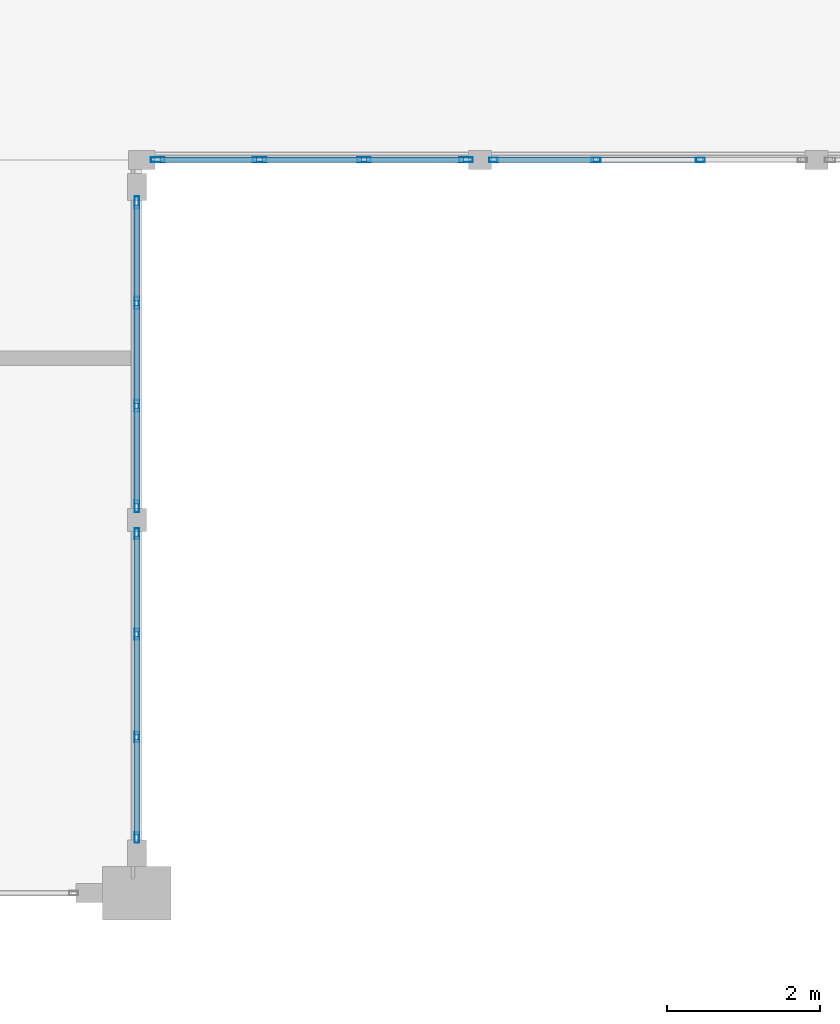
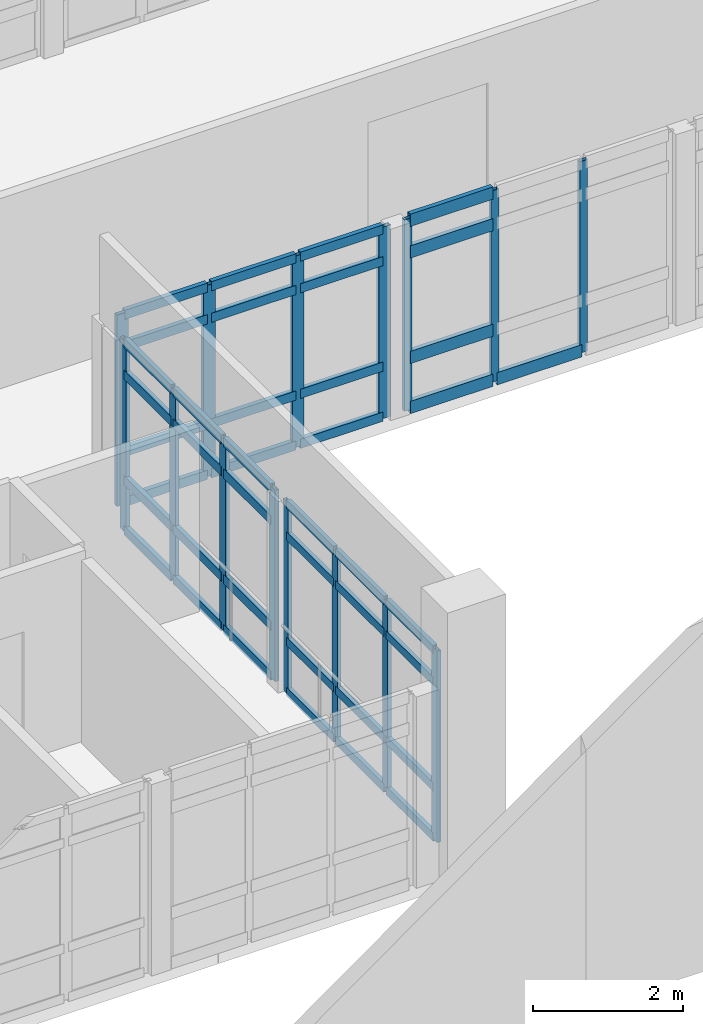
# One storey, part 6 of 37: 56 members, 4 elements without a shape of their own.
"""IFC4 building model written with IfcOpenShell, lengths in metres."""

from ifc_helpers import new_model, si_unit, direction, frame, origin, origin_2d, place, context, subcontext, project, spatial, hollow_rectangle, extrude, material, layer, layer_set, material_profile, profile_set, type_object, element, aggregate, save


model = new_model("IFC4")

# Units and contexts
model_context = context("Model", 3, precision=1e-05, world=origin(), true_north=direction((0.0, 1.0)))
body_context = subcontext(model_context, "Body", "Model", "MODEL_VIEW")
ifc_project = project(units=[si_unit("LENGTHUNIT", "METRE"), si_unit("AREAUNIT", "SQUARE_METRE"), si_unit("VOLUMEUNIT", "CUBIC_METRE"), si_unit("PLANEANGLEUNIT", "RADIAN"), si_unit("MASSUNIT", "GRAM", prefix="KILO")], contexts=[model_context])

# Site, building, storey
site_placement = place(None, origin())
site = spatial("IfcSite", under=ifc_project, at=site_placement, CompositionType="ELEMENT")
building_placement = place(site_placement, origin())
building = spatial("IfcBuilding", under=site, at=building_placement, Name="Fikremerkos Civic Library", CompositionType="ELEMENT")
storey_placement = place(building_placement, frame((0.0, 0.0, 23.39990234375)))
storey = spatial("IfcBuildingStorey", under=building, at=storey_placement, Name="L05", CompositionType="ELEMENT", Elevation=23.39990234375)

# Curtain wall, members
ifc_material = material(Name="Anodized aluminium Frame", Category="aluminium")
ifc_layer_1 = layer(ifc_material, 0.159912109375, Name="Anodized aluminium Frame")
ifc_layer_set_1 = layer_set([ifc_layer_1], Name="Anodized aluminium Frame")
curtain_wall_type_1 = type_object("IfcCurtainWallType", Name="Unitised curtain wall CW-09 3600x3400", PredefinedType="USERDEFINED", material=ifc_layer_set_1)
curtain_wall_1_placement = place(storey_placement, origin())
curtain_wall_1 = element("IfcCurtainWall", 1, at=curtain_wall_1_placement, inside=storey, type_object=curtain_wall_type_1, Name="Unitised curtain wall CW-09 L05 #297", ObjectType="UNITISED CURTAIN WALL", PredefinedType="USERDEFINED")
ifc_material_profile_1 = material_profile(ifc_material, hollow_rectangle(XDim=0.06494140625, YDim=0.179931640625, WallThickness=0.00439453125, at=origin_2d()), Name="ALU 180x65x4.5")
ifc_profile_set_1 = profile_set([ifc_material_profile_1], Name="Anodized aluminium Frame")
member_type_1 = type_object("IfcMemberType", Name="Curtain mullion CWM-01 ALU 180x65x4.5", PredefinedType="MULLION", material=ifc_profile_set_1)
member_1_placement = place(storey_placement, frame((37.01025390625, 21.60009765625, 0.0), z_axis=(0.0, 0.0, 1.0), x_axis=(0.0, -1.0, 0.0)))
member_1 = element("IfcMember", 2, at=member_1_placement, type_object=member_type_1, Name="CW-09 mullion 1", PredefinedType="MULLION", context=body_context, shape_type="SweptSolid", body=[
    extrude(hollow_rectangle(XDim=0.06494140625, YDim=0.179931640625, WallThickness=0.00439453125, at=origin_2d()), origin(), (0.0, 0.0, 1.0), 3.1201171875),
])
member_2_placement = place(storey_placement, frame((35.675048828125, 21.60009765625, 0.0), z_axis=(0.0, 0.0, 1.0), x_axis=(0.0, -1.0, 0.0)))
member_2 = element("IfcMember", 3, at=member_2_placement, type_object=member_type_1, Name="CW-09 mullion 2", PredefinedType="MULLION", context=body_context, shape_type="SweptSolid", body=[
    extrude(hollow_rectangle(XDim=0.06494140625, YDim=0.179931640625, WallThickness=0.00439453125, at=origin_2d()), origin(), (0.0, 0.0, 1.0), 3.1201171875),
])
member_3_placement = place(storey_placement, frame((34.3076171875, 21.60009765625, 0.0), z_axis=(0.0, 0.0, 1.0), x_axis=(0.0, -1.0, 0.0)))
member_3 = element("IfcMember", 4, at=member_3_placement, type_object=member_type_1, Name="CW-09 mullion 3", PredefinedType="MULLION", context=body_context, shape_type="SweptSolid", body=[
    extrude(hollow_rectangle(XDim=0.06494140625, YDim=0.179931640625, WallThickness=0.00439453125, at=origin_2d()), origin(), (0.0, 0.0, 1.0), 3.1201171875),
])
member_4_placement = place(storey_placement, frame((32.972412109375, 21.60009765625, 0.0), z_axis=(0.0, 0.0, 1.0), x_axis=(0.0, -1.0, 0.0)))
member_4 = element("IfcMember", 5, at=member_4_placement, type_object=member_type_1, Name="CW-09 mullion 4", PredefinedType="MULLION", context=body_context, shape_type="SweptSolid", body=[
    extrude(hollow_rectangle(XDim=0.06494140625, YDim=0.179931640625, WallThickness=0.00439453125, at=origin_2d()), origin(), (0.0, 0.0, 1.0), 3.1201171875),
])

ifc_layer_2 = layer(ifc_material, 0.159912109375, Name="Anodized aluminium Frame")
ifc_layer_set_2 = layer_set([ifc_layer_2], Name="Anodized aluminium Frame")
curtain_wall_type_2 = type_object("IfcCurtainWallType", Name="Unitised curtain wall CW-10 4000x3400", PredefinedType="USERDEFINED", material=ifc_layer_set_2)
curtain_wall_2_placement = place(storey_placement, origin())
curtain_wall_2 = element("IfcCurtainWall", 6, at=curtain_wall_2_placement, inside=storey, type_object=curtain_wall_type_2, Name="Unitised curtain wall CW-10 L05 #298", ObjectType="UNITISED CURTAIN WALL", PredefinedType="USERDEFINED")
ifc_material_profile_2 = material_profile(ifc_material, hollow_rectangle(XDim=0.06005859375, YDim=0.159912109375, WallThickness=0.00390625, at=origin_2d()), Name="ALU 160x60x4")
ifc_profile_set_2 = profile_set([ifc_material_profile_2], Name="Anodized aluminium Frame")
member_type_2 = type_object("IfcMemberType", Name="Curtain mullion CWM-02 ALU 160x60x4", PredefinedType="MULLION", material=ifc_profile_set_2)
member_5_placement = place(storey_placement, frame((32.699951171875, 21.0400390625, 0.0), z_axis=(0.0, 0.0, 1.0), x_axis=(1.0, 0.0, 0.0)))
member_5 = element("IfcMember", 7, at=member_5_placement, type_object=member_type_2, Name="CW-10 mullion 1", PredefinedType="MULLION", context=body_context, shape_type="SweptSolid", body=[
    extrude(hollow_rectangle(XDim=0.06005859375, YDim=0.159912109375, WallThickness=0.00390625, at=origin_2d()), origin(), (0.0, 0.0, 1.0), 3.1201171875),
])
member_6_placement = place(storey_placement, frame((32.699951171875, 19.724609375, 0.0), z_axis=(0.0, 0.0, 1.0), x_axis=(1.0, 0.0, 0.0)))
member_6 = element("IfcMember", 8, at=member_6_placement, type_object=member_type_2, Name="CW-10 mullion 2", PredefinedType="MULLION", context=body_context, shape_type="SweptSolid", body=[
    extrude(hollow_rectangle(XDim=0.06005859375, YDim=0.159912109375, WallThickness=0.00390625, at=origin_2d()), origin(), (0.0, 0.0, 1.0), 3.1201171875),
])
member_7_placement = place(storey_placement, frame((32.699951171875, 18.37939453125, 0.0), z_axis=(0.0, 0.0, 1.0), x_axis=(1.0, 0.0, 0.0)))
member_7 = element("IfcMember", 9, at=member_7_placement, type_object=member_type_2, Name="CW-10 mullion 3", PredefinedType="MULLION", context=body_context, shape_type="SweptSolid", body=[
    extrude(hollow_rectangle(XDim=0.06005859375, YDim=0.159912109375, WallThickness=0.00390625, at=origin_2d()), origin(), (0.0, 0.0, 1.0), 3.1201171875),
])
member_8_placement = place(storey_placement, frame((32.699951171875, 17.06396484375, 0.0), z_axis=(0.0, 0.0, 1.0), x_axis=(1.0, 0.0, 0.0)))
member_8 = element("IfcMember", 10, at=member_8_placement, type_object=member_type_2, Name="CW-10 mullion 4", PredefinedType="MULLION", context=body_context, shape_type="SweptSolid", body=[
    extrude(hollow_rectangle(XDim=0.06005859375, YDim=0.159912109375, WallThickness=0.00390625, at=origin_2d()), origin(), (0.0, 0.0, 1.0), 3.1201171875),
])

ifc_layer_3 = layer(ifc_material, 0.159912109375, Name="Anodized aluminium Frame")
ifc_layer_set_3 = layer_set([ifc_layer_3], Name="Anodized aluminium Frame")
curtain_wall_type_3 = type_object("IfcCurtainWallType", Name="Unitised curtain wall CW-11 3200x3400", PredefinedType="USERDEFINED", material=ifc_layer_set_3)
curtain_wall_3_placement = place(storey_placement, origin())
curtain_wall_3 = element("IfcCurtainWall", 11, at=curtain_wall_3_placement, inside=storey, type_object=curtain_wall_type_3, Name="Unitised curtain wall CW-11 L05 #299", ObjectType="UNITISED CURTAIN WALL", PredefinedType="USERDEFINED")
ifc_material_profile_3 = material_profile(ifc_material, hollow_rectangle(XDim=0.06005859375, YDim=0.139892578125, WallThickness=0.00390625, at=origin_2d()), Name="ALU 140x60x4")
ifc_profile_set_3 = profile_set([ifc_material_profile_3], Name="Anodized aluminium Frame")
member_type_3 = type_object("IfcMemberType", Name="Curtain mullion CWM-03 ALU 140x60x4", PredefinedType="MULLION", material=ifc_profile_set_3)
member_9_placement = place(storey_placement, frame((32.699951171875, 16.7041015625, 0.0), z_axis=(0.0, 0.0, 1.0), x_axis=(1.0, 0.0, 0.0)))
member_9 = element("IfcMember", 12, at=member_9_placement, type_object=member_type_3, Name="CW-11 mullion 1", PredefinedType="MULLION", context=body_context, shape_type="SweptSolid", body=[
    extrude(hollow_rectangle(XDim=0.06005859375, YDim=0.139892578125, WallThickness=0.00390625, at=origin_2d()), origin(), (0.0, 0.0, 1.0), 3.1201171875),
])
member_10_placement = place(storey_placement, frame((32.699951171875, 15.388671875, 0.0), z_axis=(0.0, 0.0, 1.0), x_axis=(1.0, 0.0, 0.0)))
member_10 = element("IfcMember", 13, at=member_10_placement, type_object=member_type_3, Name="CW-11 mullion 2", PredefinedType="MULLION", context=body_context, shape_type="SweptSolid", body=[
    extrude(hollow_rectangle(XDim=0.06005859375, YDim=0.139892578125, WallThickness=0.00390625, at=origin_2d()), origin(), (0.0, 0.0, 1.0), 3.1201171875),
])
member_11_placement = place(storey_placement, frame((32.699951171875, 14.043212890625, 0.0), z_axis=(0.0, 0.0, 1.0), x_axis=(1.0, 0.0, 0.0)))
member_11 = element("IfcMember", 14, at=member_11_placement, type_object=member_type_3, Name="CW-11 mullion 3", PredefinedType="MULLION", context=body_context, shape_type="SweptSolid", body=[
    extrude(hollow_rectangle(XDim=0.06005859375, YDim=0.139892578125, WallThickness=0.00390625, at=origin_2d()), origin(), (0.0, 0.0, 1.0), 3.1201171875),
])
member_12_placement = place(storey_placement, frame((32.699951171875, 12.72802734375, 0.0), z_axis=(0.0, 0.0, 1.0), x_axis=(1.0, 0.0, 0.0)))
member_12 = element("IfcMember", 15, at=member_12_placement, type_object=member_type_3, Name="CW-11 mullion 4", PredefinedType="MULLION", context=body_context, shape_type="SweptSolid", body=[
    extrude(hollow_rectangle(XDim=0.06005859375, YDim=0.139892578125, WallThickness=0.00390625, at=origin_2d()), origin(), (0.0, 0.0, 1.0), 3.1201171875),
])

ifc_layer_4 = layer(ifc_material, 0.159912109375, Name="Anodized aluminium Frame")
ifc_layer_set_4 = layer_set([ifc_layer_4], Name="Anodized aluminium Frame")
curtain_wall_type_4 = type_object("IfcCurtainWallType", Name="Unitised curtain wall CW-08 4500x4100", PredefinedType="USERDEFINED", material=ifc_layer_set_4)
curtain_wall_4_placement = place(storey_placement, origin())
curtain_wall_4 = element("IfcCurtainWall", 16, at=curtain_wall_4_placement, inside=storey, type_object=curtain_wall_type_4, Name="Unitised curtain wall CW-08 L05 #296", ObjectType="UNITISED CURTAIN WALL", PredefinedType="USERDEFINED")
ifc_material_profile_4 = material_profile(ifc_material, hollow_rectangle(XDim=0.06005859375, YDim=0.1201171875, WallThickness=0.00390625, at=origin_2d()), Name="ALU 120x60x4")
ifc_profile_set_4 = profile_set([ifc_material_profile_4], Name="Anodized aluminium Frame")
member_type_4 = type_object("IfcMemberType", Name="Curtain mullion CWM-04 ALU 120x60x4", PredefinedType="MULLION", material=ifc_profile_set_4)
member_13_placement = place(storey_placement, frame((40.077880859375, 21.60009765625, 0.0), z_axis=(0.0, 0.0, 1.0), x_axis=(0.0, -1.0, 0.0)))
member_13 = element("IfcMember", 17, at=member_13_placement, type_object=member_type_4, Name="CW-08 mullion 2", PredefinedType="MULLION", context=body_context, shape_type="SweptSolid", body=[
    extrude(hollow_rectangle(XDim=0.06005859375, YDim=0.1201171875, WallThickness=0.00390625, at=origin_2d()), origin(), (0.0, 0.0, 1.0), 3.1201171875),
])
member_14_placement = place(storey_placement, frame((38.710205078125, 21.60009765625, 0.0), z_axis=(0.0, 0.0, 1.0), x_axis=(0.0, -1.0, 0.0)))
member_14 = element("IfcMember", 18, at=member_14_placement, type_object=member_type_4, Name="CW-08 mullion 3", PredefinedType="MULLION", context=body_context, shape_type="SweptSolid", body=[
    extrude(hollow_rectangle(XDim=0.06005859375, YDim=0.1201171875, WallThickness=0.00390625, at=origin_2d()), origin(), (0.0, 0.0, 1.0), 3.1201171875),
])
member_15_placement = place(storey_placement, frame((37.37255859375, 21.60009765625, 0.0), z_axis=(0.0, 0.0, 1.0), x_axis=(0.0, -1.0, 0.0)))
member_15 = element("IfcMember", 19, at=member_15_placement, type_object=member_type_4, Name="CW-08 mullion 4", PredefinedType="MULLION", context=body_context, shape_type="SweptSolid", body=[
    extrude(hollow_rectangle(XDim=0.06005859375, YDim=0.1201171875, WallThickness=0.00390625, at=origin_2d()), origin(), (0.0, 0.0, 1.0), 3.1201171875),
])

# Member
ifc_material_profile_5 = material_profile(ifc_material, hollow_rectangle(XDim=0.070068359375, YDim=0.14990234375, WallThickness=0.00439453125, at=origin_2d()), Name="ALU 150x70x4.5")
ifc_profile_set_5 = profile_set([ifc_material_profile_5], Name="Anodized aluminium Frame")
member_type_5 = type_object("IfcMemberType", Name="Curtain transom CWT-01 ALU 150x70x4.5", PredefinedType="USERDEFINED", material=ifc_profile_set_5)
member_16_placement = place(storey_placement, frame((36.977783203125, 21.60009765625, 0.03515625), z_axis=(-1.0, 0.0, 0.0), x_axis=(0.0, -1.0, 0.0)))
member_16 = element("IfcMember", 20, at=member_16_placement, type_object=member_type_5, Name="CW-09 transom 1.1", ObjectType="TRANSOM", PredefinedType="USERDEFINED", context=body_context, shape_type="SweptSolid", body=[
    extrude(hollow_rectangle(XDim=0.070068359375, YDim=0.14990234375, WallThickness=0.00439453125, at=origin_2d()), origin(), (0.0, 0.0, 1.0), 1.270263671875),
])

member_17_placement = place(storey_placement, frame((36.977783203125, 21.60009765625, 0.85009765625), z_axis=(-1.0, 0.0, 0.0), x_axis=(0.0, -1.0, 0.0)))
member_17 = element("IfcMember", 21, at=member_17_placement, type_object=member_type_5, Name="CW-09 transom 1.2", ObjectType="TRANSOM", PredefinedType="USERDEFINED", context=body_context, shape_type="SweptSolid", body=[
    extrude(hollow_rectangle(XDim=0.070068359375, YDim=0.14990234375, WallThickness=0.00439453125, at=origin_2d()), origin(), (0.0, 0.0, 1.0), 1.270263671875),
])

member_18_placement = place(storey_placement, frame((36.977783203125, 21.60009765625, 2.570068359375), z_axis=(-1.0, 0.0, 0.0), x_axis=(0.0, -1.0, 0.0)))
member_18 = element("IfcMember", 22, at=member_18_placement, type_object=member_type_5, Name="CW-09 transom 1.3", ObjectType="TRANSOM", PredefinedType="USERDEFINED", context=body_context, shape_type="SweptSolid", body=[
    extrude(hollow_rectangle(XDim=0.070068359375, YDim=0.14990234375, WallThickness=0.00439453125, at=origin_2d()), origin(), (0.0, 0.0, 1.0), 1.270263671875),
])

member_19_placement = place(storey_placement, frame((36.977783203125, 21.60009765625, 3.085205078125), z_axis=(-1.0, 0.0, 0.0), x_axis=(0.0, -1.0, 0.0)))
member_19 = element("IfcMember", 23, at=member_19_placement, type_object=member_type_5, Name="CW-09 transom 1.4", ObjectType="TRANSOM", PredefinedType="USERDEFINED", context=body_context, shape_type="SweptSolid", body=[
    extrude(hollow_rectangle(XDim=0.070068359375, YDim=0.14990234375, WallThickness=0.00439453125, at=origin_2d()), origin(), (0.0, 0.0, 1.0), 1.270263671875),
])

member_20_placement = place(storey_placement, frame((35.642578125, 21.60009765625, 0.03515625), z_axis=(-1.0, 0.0, 0.0), x_axis=(0.0, -1.0, 0.0)))
member_20 = element("IfcMember", 24, at=member_20_placement, type_object=member_type_5, Name="CW-09 transom 2.1", ObjectType="TRANSOM", PredefinedType="USERDEFINED", context=body_context, shape_type="SweptSolid", body=[
    extrude(hollow_rectangle(XDim=0.070068359375, YDim=0.14990234375, WallThickness=0.00439453125, at=origin_2d()), origin(), (0.0, 0.0, 1.0), 1.302490234375),
])

member_21_placement = place(storey_placement, frame((35.642578125, 21.60009765625, 0.85009765625), z_axis=(-1.0, 0.0, 0.0), x_axis=(0.0, -1.0, 0.0)))
member_21 = element("IfcMember", 25, at=member_21_placement, type_object=member_type_5, Name="CW-09 transom 2.2", ObjectType="TRANSOM", PredefinedType="USERDEFINED", context=body_context, shape_type="SweptSolid", body=[
    extrude(hollow_rectangle(XDim=0.070068359375, YDim=0.14990234375, WallThickness=0.00439453125, at=origin_2d()), origin(), (0.0, 0.0, 1.0), 1.302490234375),
])

member_22_placement = place(storey_placement, frame((35.642578125, 21.60009765625, 2.570068359375), z_axis=(-1.0, 0.0, 0.0), x_axis=(0.0, -1.0, 0.0)))
member_22 = element("IfcMember", 26, at=member_22_placement, type_object=member_type_5, Name="CW-09 transom 2.3", ObjectType="TRANSOM", PredefinedType="USERDEFINED", context=body_context, shape_type="SweptSolid", body=[
    extrude(hollow_rectangle(XDim=0.070068359375, YDim=0.14990234375, WallThickness=0.00439453125, at=origin_2d()), origin(), (0.0, 0.0, 1.0), 1.302490234375),
])

member_23_placement = place(storey_placement, frame((35.642578125, 21.60009765625, 3.085205078125), z_axis=(-1.0, 0.0, 0.0), x_axis=(0.0, -1.0, 0.0)))
member_23 = element("IfcMember", 27, at=member_23_placement, type_object=member_type_5, Name="CW-09 transom 2.4", ObjectType="TRANSOM", PredefinedType="USERDEFINED", context=body_context, shape_type="SweptSolid", body=[
    extrude(hollow_rectangle(XDim=0.070068359375, YDim=0.14990234375, WallThickness=0.00439453125, at=origin_2d()), origin(), (0.0, 0.0, 1.0), 1.302490234375),
])

member_24_placement = place(storey_placement, frame((34.275146484375, 21.60009765625, 0.03515625), z_axis=(-1.0, 0.0, 0.0), x_axis=(0.0, -1.0, 0.0)))
member_24 = element("IfcMember", 28, at=member_24_placement, type_object=member_type_5, Name="CW-09 transom 3.1", ObjectType="TRANSOM", PredefinedType="USERDEFINED", context=body_context, shape_type="SweptSolid", body=[
    extrude(hollow_rectangle(XDim=0.070068359375, YDim=0.14990234375, WallThickness=0.00439453125, at=origin_2d()), origin(), (0.0, 0.0, 1.0), 1.270263671875),
])

member_25_placement = place(storey_placement, frame((34.275146484375, 21.60009765625, 0.85009765625), z_axis=(-1.0, 0.0, 0.0), x_axis=(0.0, -1.0, 0.0)))
member_25 = element("IfcMember", 29, at=member_25_placement, type_object=member_type_5, Name="CW-09 transom 3.2", ObjectType="TRANSOM", PredefinedType="USERDEFINED", context=body_context, shape_type="SweptSolid", body=[
    extrude(hollow_rectangle(XDim=0.070068359375, YDim=0.14990234375, WallThickness=0.00439453125, at=origin_2d()), origin(), (0.0, 0.0, 1.0), 1.270263671875),
])

member_26_placement = place(storey_placement, frame((34.275146484375, 21.60009765625, 2.570068359375), z_axis=(-1.0, 0.0, 0.0), x_axis=(0.0, -1.0, 0.0)))
member_26 = element("IfcMember", 30, at=member_26_placement, type_object=member_type_5, Name="CW-09 transom 3.3", ObjectType="TRANSOM", PredefinedType="USERDEFINED", context=body_context, shape_type="SweptSolid", body=[
    extrude(hollow_rectangle(XDim=0.070068359375, YDim=0.14990234375, WallThickness=0.00439453125, at=origin_2d()), origin(), (0.0, 0.0, 1.0), 1.270263671875),
])

member_27_placement = place(storey_placement, frame((34.275146484375, 21.60009765625, 3.085205078125), z_axis=(-1.0, 0.0, 0.0), x_axis=(0.0, -1.0, 0.0)))
member_27 = element("IfcMember", 31, at=member_27_placement, type_object=member_type_5, Name="CW-09 transom 3.4", ObjectType="TRANSOM", PredefinedType="USERDEFINED", context=body_context, shape_type="SweptSolid", body=[
    extrude(hollow_rectangle(XDim=0.070068359375, YDim=0.14990234375, WallThickness=0.00439453125, at=origin_2d()), origin(), (0.0, 0.0, 1.0), 1.270263671875),
])

aggregate(curtain_wall_1, [member_1, member_2, member_3, member_4, member_16, member_17, member_18, member_19, member_20, member_21, member_22, member_23, member_24, member_25, member_26, member_27])

member_28_placement = place(storey_placement, frame((32.699951171875, 21.010009765625, 0.03515625), z_axis=(0.0, -1.0, 0.0), x_axis=(1.0, 0.0, 0.0)))
member_28 = element("IfcMember", 32, at=member_28_placement, type_object=member_type_5, Name="CW-10 transom 1.1", ObjectType="TRANSOM", PredefinedType="USERDEFINED", context=body_context, shape_type="SweptSolid", body=[
    extrude(hollow_rectangle(XDim=0.070068359375, YDim=0.14990234375, WallThickness=0.00439453125, at=origin_2d()), origin(), (0.0, 0.0, 1.0), 1.25537109375),
])

member_29_placement = place(storey_placement, frame((32.699951171875, 21.010009765625, 0.85009765625), z_axis=(0.0, -1.0, 0.0), x_axis=(1.0, 0.0, 0.0)))
member_29 = element("IfcMember", 33, at=member_29_placement, type_object=member_type_5, Name="CW-10 transom 1.2", ObjectType="TRANSOM", PredefinedType="USERDEFINED", context=body_context, shape_type="SweptSolid", body=[
    extrude(hollow_rectangle(XDim=0.070068359375, YDim=0.14990234375, WallThickness=0.00439453125, at=origin_2d()), origin(), (0.0, 0.0, 1.0), 1.25537109375),
])

member_30_placement = place(storey_placement, frame((32.699951171875, 21.010009765625, 2.570068359375), z_axis=(0.0, -1.0, 0.0), x_axis=(1.0, 0.0, 0.0)))
member_30 = element("IfcMember", 34, at=member_30_placement, type_object=member_type_5, Name="CW-10 transom 1.3", ObjectType="TRANSOM", PredefinedType="USERDEFINED", context=body_context, shape_type="SweptSolid", body=[
    extrude(hollow_rectangle(XDim=0.070068359375, YDim=0.14990234375, WallThickness=0.00439453125, at=origin_2d()), origin(), (0.0, 0.0, 1.0), 1.25537109375),
])

member_31_placement = place(storey_placement, frame((32.699951171875, 21.010009765625, 3.085205078125), z_axis=(0.0, -1.0, 0.0), x_axis=(1.0, 0.0, 0.0)))
member_31 = element("IfcMember", 35, at=member_31_placement, type_object=member_type_5, Name="CW-10 transom 1.4", ObjectType="TRANSOM", PredefinedType="USERDEFINED", context=body_context, shape_type="SweptSolid", body=[
    extrude(hollow_rectangle(XDim=0.070068359375, YDim=0.14990234375, WallThickness=0.00439453125, at=origin_2d()), origin(), (0.0, 0.0, 1.0), 1.25537109375),
])

member_32_placement = place(storey_placement, frame((32.699951171875, 19.694580078125, 0.03515625), z_axis=(0.0, -1.0, 0.0), x_axis=(1.0, 0.0, 0.0)))
member_32 = element("IfcMember", 36, at=member_32_placement, type_object=member_type_5, Name="CW-10 transom 2.1", ObjectType="TRANSOM", PredefinedType="USERDEFINED", context=body_context, shape_type="SweptSolid", body=[
    extrude(hollow_rectangle(XDim=0.070068359375, YDim=0.14990234375, WallThickness=0.00439453125, at=origin_2d()), origin(), (0.0, 0.0, 1.0), 1.28515625),
])

member_33_placement = place(storey_placement, frame((32.699951171875, 19.694580078125, 0.85009765625), z_axis=(0.0, -1.0, 0.0), x_axis=(1.0, 0.0, 0.0)))
member_33 = element("IfcMember", 37, at=member_33_placement, type_object=member_type_5, Name="CW-10 transom 2.2", ObjectType="TRANSOM", PredefinedType="USERDEFINED", context=body_context, shape_type="SweptSolid", body=[
    extrude(hollow_rectangle(XDim=0.070068359375, YDim=0.14990234375, WallThickness=0.00439453125, at=origin_2d()), origin(), (0.0, 0.0, 1.0), 1.28515625),
])

member_34_placement = place(storey_placement, frame((32.699951171875, 19.694580078125, 2.570068359375), z_axis=(0.0, -1.0, 0.0), x_axis=(1.0, 0.0, 0.0)))
member_34 = element("IfcMember", 38, at=member_34_placement, type_object=member_type_5, Name="CW-10 transom 2.3", ObjectType="TRANSOM", PredefinedType="USERDEFINED", context=body_context, shape_type="SweptSolid", body=[
    extrude(hollow_rectangle(XDim=0.070068359375, YDim=0.14990234375, WallThickness=0.00439453125, at=origin_2d()), origin(), (0.0, 0.0, 1.0), 1.28515625),
])

member_35_placement = place(storey_placement, frame((32.699951171875, 19.694580078125, 3.085205078125), z_axis=(0.0, -1.0, 0.0), x_axis=(1.0, 0.0, 0.0)))
member_35 = element("IfcMember", 39, at=member_35_placement, type_object=member_type_5, Name="CW-10 transom 2.4", ObjectType="TRANSOM", PredefinedType="USERDEFINED", context=body_context, shape_type="SweptSolid", body=[
    extrude(hollow_rectangle(XDim=0.070068359375, YDim=0.14990234375, WallThickness=0.00439453125, at=origin_2d()), origin(), (0.0, 0.0, 1.0), 1.28515625),
])

member_36_placement = place(storey_placement, frame((32.699951171875, 18.349365234375, 0.03515625), z_axis=(0.0, -1.0, 0.0), x_axis=(1.0, 0.0, 0.0)))
member_36 = element("IfcMember", 40, at=member_36_placement, type_object=member_type_5, Name="CW-10 transom 3.1", ObjectType="TRANSOM", PredefinedType="USERDEFINED", context=body_context, shape_type="SweptSolid", body=[
    extrude(hollow_rectangle(XDim=0.070068359375, YDim=0.14990234375, WallThickness=0.00439453125, at=origin_2d()), origin(), (0.0, 0.0, 1.0), 1.25537109375),
])

member_37_placement = place(storey_placement, frame((32.699951171875, 18.349365234375, 0.85009765625), z_axis=(0.0, -1.0, 0.0), x_axis=(1.0, 0.0, 0.0)))
member_37 = element("IfcMember", 41, at=member_37_placement, type_object=member_type_5, Name="CW-10 transom 3.2", ObjectType="TRANSOM", PredefinedType="USERDEFINED", context=body_context, shape_type="SweptSolid", body=[
    extrude(hollow_rectangle(XDim=0.070068359375, YDim=0.14990234375, WallThickness=0.00439453125, at=origin_2d()), origin(), (0.0, 0.0, 1.0), 1.25537109375),
])

member_38_placement = place(storey_placement, frame((32.699951171875, 18.349365234375, 2.570068359375), z_axis=(0.0, -1.0, 0.0), x_axis=(1.0, 0.0, 0.0)))
member_38 = element("IfcMember", 42, at=member_38_placement, type_object=member_type_5, Name="CW-10 transom 3.3", ObjectType="TRANSOM", PredefinedType="USERDEFINED", context=body_context, shape_type="SweptSolid", body=[
    extrude(hollow_rectangle(XDim=0.070068359375, YDim=0.14990234375, WallThickness=0.00439453125, at=origin_2d()), origin(), (0.0, 0.0, 1.0), 1.25537109375),
])

member_39_placement = place(storey_placement, frame((32.699951171875, 18.349365234375, 3.085205078125), z_axis=(0.0, -1.0, 0.0), x_axis=(1.0, 0.0, 0.0)))
member_39 = element("IfcMember", 43, at=member_39_placement, type_object=member_type_5, Name="CW-10 transom 3.4", ObjectType="TRANSOM", PredefinedType="USERDEFINED", context=body_context, shape_type="SweptSolid", body=[
    extrude(hollow_rectangle(XDim=0.070068359375, YDim=0.14990234375, WallThickness=0.00439453125, at=origin_2d()), origin(), (0.0, 0.0, 1.0), 1.25537109375),
])

aggregate(curtain_wall_2, [member_5, member_6, member_7, member_8, member_28, member_29, member_30, member_31, member_32, member_33, member_34, member_35, member_36, member_37, member_38, member_39])

ifc_material_profile_6 = material_profile(ifc_material, hollow_rectangle(XDim=0.06494140625, YDim=0.135009765625, WallThickness=0.00439453125, at=origin_2d()), Name="ALU 135x65x4.5")
ifc_profile_set_6 = profile_set([ifc_material_profile_6], Name="Anodized aluminium Frame")
member_type_6 = type_object("IfcMemberType", Name="Curtain transom CWT-02 ALU 135x65x4.5", PredefinedType="USERDEFINED", material=ifc_profile_set_6)
member_40_placement = place(storey_placement, frame((32.699951171875, 16.674072265625, 0.03271484375), z_axis=(0.0, -1.0, 0.0), x_axis=(1.0, 0.0, 0.0)))
member_40 = element("IfcMember", 44, at=member_40_placement, type_object=member_type_6, Name="CW-11 transom 1.1", ObjectType="TRANSOM", PredefinedType="USERDEFINED", context=body_context, shape_type="SweptSolid", body=[
    extrude(hollow_rectangle(XDim=0.06494140625, YDim=0.135009765625, WallThickness=0.00439453125, at=origin_2d()), origin(), (0.0, 0.0, 1.0), 1.25537109375),
])

member_41_placement = place(storey_placement, frame((32.699951171875, 16.674072265625, 0.85009765625), z_axis=(0.0, -1.0, 0.0), x_axis=(1.0, 0.0, 0.0)))
member_41 = element("IfcMember", 45, at=member_41_placement, type_object=member_type_6, Name="CW-11 transom 1.2", ObjectType="TRANSOM", PredefinedType="USERDEFINED", context=body_context, shape_type="SweptSolid", body=[
    extrude(hollow_rectangle(XDim=0.06494140625, YDim=0.135009765625, WallThickness=0.00439453125, at=origin_2d()), origin(), (0.0, 0.0, 1.0), 1.25537109375),
])

member_42_placement = place(storey_placement, frame((32.699951171875, 16.674072265625, 2.570068359375), z_axis=(0.0, -1.0, 0.0), x_axis=(1.0, 0.0, 0.0)))
member_42 = element("IfcMember", 46, at=member_42_placement, type_object=member_type_6, Name="CW-11 transom 1.3", ObjectType="TRANSOM", PredefinedType="USERDEFINED", context=body_context, shape_type="SweptSolid", body=[
    extrude(hollow_rectangle(XDim=0.06494140625, YDim=0.135009765625, WallThickness=0.00439453125, at=origin_2d()), origin(), (0.0, 0.0, 1.0), 1.25537109375),
])

member_43_placement = place(storey_placement, frame((32.699951171875, 16.674072265625, 3.087646484375), z_axis=(0.0, -1.0, 0.0), x_axis=(1.0, 0.0, 0.0)))
member_43 = element("IfcMember", 47, at=member_43_placement, type_object=member_type_6, Name="CW-11 transom 1.4", ObjectType="TRANSOM", PredefinedType="USERDEFINED", context=body_context, shape_type="SweptSolid", body=[
    extrude(hollow_rectangle(XDim=0.06494140625, YDim=0.135009765625, WallThickness=0.00439453125, at=origin_2d()), origin(), (0.0, 0.0, 1.0), 1.25537109375),
])

member_44_placement = place(storey_placement, frame((32.699951171875, 15.358642578125, 0.03271484375), z_axis=(0.0, -1.0, 0.0), x_axis=(1.0, 0.0, 0.0)))
member_44 = element("IfcMember", 48, at=member_44_placement, type_object=member_type_6, Name="CW-11 transom 2.1", ObjectType="TRANSOM", PredefinedType="USERDEFINED", context=body_context, shape_type="SweptSolid", body=[
    extrude(hollow_rectangle(XDim=0.06494140625, YDim=0.135009765625, WallThickness=0.00439453125, at=origin_2d()), origin(), (0.0, 0.0, 1.0), 1.285400390625),
])

member_45_placement = place(storey_placement, frame((32.699951171875, 15.358642578125, 0.85009765625), z_axis=(0.0, -1.0, 0.0), x_axis=(1.0, 0.0, 0.0)))
member_45 = element("IfcMember", 49, at=member_45_placement, type_object=member_type_6, Name="CW-11 transom 2.2", ObjectType="TRANSOM", PredefinedType="USERDEFINED", context=body_context, shape_type="SweptSolid", body=[
    extrude(hollow_rectangle(XDim=0.06494140625, YDim=0.135009765625, WallThickness=0.00439453125, at=origin_2d()), origin(), (0.0, 0.0, 1.0), 1.285400390625),
])

member_46_placement = place(storey_placement, frame((32.699951171875, 15.358642578125, 2.570068359375), z_axis=(0.0, -1.0, 0.0), x_axis=(1.0, 0.0, 0.0)))
member_46 = element("IfcMember", 50, at=member_46_placement, type_object=member_type_6, Name="CW-11 transom 2.3", ObjectType="TRANSOM", PredefinedType="USERDEFINED", context=body_context, shape_type="SweptSolid", body=[
    extrude(hollow_rectangle(XDim=0.06494140625, YDim=0.135009765625, WallThickness=0.00439453125, at=origin_2d()), origin(), (0.0, 0.0, 1.0), 1.285400390625),
])

member_47_placement = place(storey_placement, frame((32.699951171875, 15.358642578125, 3.087646484375), z_axis=(0.0, -1.0, 0.0), x_axis=(1.0, 0.0, 0.0)))
member_47 = element("IfcMember", 51, at=member_47_placement, type_object=member_type_6, Name="CW-11 transom 2.4", ObjectType="TRANSOM", PredefinedType="USERDEFINED", context=body_context, shape_type="SweptSolid", body=[
    extrude(hollow_rectangle(XDim=0.06494140625, YDim=0.135009765625, WallThickness=0.00439453125, at=origin_2d()), origin(), (0.0, 0.0, 1.0), 1.285400390625),
])

member_48_placement = place(storey_placement, frame((32.699951171875, 14.013427734375, 0.03271484375), z_axis=(0.0, -1.0, 0.0), x_axis=(1.0, 0.0, 0.0)))
member_48 = element("IfcMember", 52, at=member_48_placement, type_object=member_type_6, Name="CW-11 transom 3.1", ObjectType="TRANSOM", PredefinedType="USERDEFINED", context=body_context, shape_type="SweptSolid", body=[
    extrude(hollow_rectangle(XDim=0.06494140625, YDim=0.135009765625, WallThickness=0.00439453125, at=origin_2d()), origin(), (0.0, 0.0, 1.0), 1.25537109375),
])

member_49_placement = place(storey_placement, frame((32.699951171875, 14.013427734375, 0.85009765625), z_axis=(0.0, -1.0, 0.0), x_axis=(1.0, 0.0, 0.0)))
member_49 = element("IfcMember", 53, at=member_49_placement, type_object=member_type_6, Name="CW-11 transom 3.2", ObjectType="TRANSOM", PredefinedType="USERDEFINED", context=body_context, shape_type="SweptSolid", body=[
    extrude(hollow_rectangle(XDim=0.06494140625, YDim=0.135009765625, WallThickness=0.00439453125, at=origin_2d()), origin(), (0.0, 0.0, 1.0), 1.25537109375),
])

member_50_placement = place(storey_placement, frame((32.699951171875, 14.013427734375, 2.570068359375), z_axis=(0.0, -1.0, 0.0), x_axis=(1.0, 0.0, 0.0)))
member_50 = element("IfcMember", 54, at=member_50_placement, type_object=member_type_6, Name="CW-11 transom 3.3", ObjectType="TRANSOM", PredefinedType="USERDEFINED", context=body_context, shape_type="SweptSolid", body=[
    extrude(hollow_rectangle(XDim=0.06494140625, YDim=0.135009765625, WallThickness=0.00439453125, at=origin_2d()), origin(), (0.0, 0.0, 1.0), 1.25537109375),
])

member_51_placement = place(storey_placement, frame((32.699951171875, 14.013427734375, 3.087646484375), z_axis=(0.0, -1.0, 0.0), x_axis=(1.0, 0.0, 0.0)))
member_51 = element("IfcMember", 55, at=member_51_placement, type_object=member_type_6, Name="CW-11 transom 3.4", ObjectType="TRANSOM", PredefinedType="USERDEFINED", context=body_context, shape_type="SweptSolid", body=[
    extrude(hollow_rectangle(XDim=0.06494140625, YDim=0.135009765625, WallThickness=0.00439453125, at=origin_2d()), origin(), (0.0, 0.0, 1.0), 1.25537109375),
])

aggregate(curtain_wall_3, [member_9, member_10, member_11, member_12, member_40, member_41, member_42, member_43, member_44, member_45, member_46, member_47, member_48, member_49, member_50, member_51])

ifc_material_profile_7 = material_profile(ifc_material, hollow_rectangle(XDim=0.070068359375, YDim=0.199951171875, WallThickness=0.0048828125, at=origin_2d()), Name="ALU 200x70x5")
ifc_profile_set_7 = profile_set([ifc_material_profile_7], Name="Anodized aluminium Frame")
member_type_7 = type_object("IfcMemberType", Name="Curtain transom CWT-04 ALU 200x70x5", PredefinedType="USERDEFINED", material=ifc_profile_set_7)
member_52_placement = place(storey_placement, frame((40.0478515625, 21.60009765625, 0.03515625), z_axis=(-1.0, 0.0, 0.0), x_axis=(0.0, -1.0, 0.0)))
member_52 = element("IfcMember", 56, at=member_52_placement, type_object=member_type_7, Name="CW-08 transom 2.1", ObjectType="TRANSOM", PredefinedType="USERDEFINED", context=body_context, shape_type="SweptSolid", body=[
    extrude(hollow_rectangle(XDim=0.070068359375, YDim=0.199951171875, WallThickness=0.0048828125, at=origin_2d()), origin(), (0.0, 0.0, 1.0), 1.3076171875),
])

member_53_placement = place(storey_placement, frame((38.68017578125, 21.60009765625, 0.03515625), z_axis=(-1.0, 0.0, 0.0), x_axis=(0.0, -1.0, 0.0)))
member_53 = element("IfcMember", 57, at=member_53_placement, type_object=member_type_7, Name="CW-08 transom 3.1", ObjectType="TRANSOM", PredefinedType="USERDEFINED", context=body_context, shape_type="SweptSolid", body=[
    extrude(hollow_rectangle(XDim=0.070068359375, YDim=0.199951171875, WallThickness=0.0048828125, at=origin_2d()), origin(), (0.0, 0.0, 1.0), 1.277587890625),
])

member_54_placement = place(storey_placement, frame((38.68017578125, 21.60009765625, 0.85009765625), z_axis=(-1.0, 0.0, 0.0), x_axis=(0.0, -1.0, 0.0)))
member_54 = element("IfcMember", 58, at=member_54_placement, type_object=member_type_7, Name="CW-08 transom 3.2", ObjectType="TRANSOM", PredefinedType="USERDEFINED", context=body_context, shape_type="SweptSolid", body=[
    extrude(hollow_rectangle(XDim=0.070068359375, YDim=0.199951171875, WallThickness=0.0048828125, at=origin_2d()), origin(), (0.0, 0.0, 1.0), 1.277587890625),
])

member_55_placement = place(storey_placement, frame((38.68017578125, 21.60009765625, 2.570068359375), z_axis=(-1.0, 0.0, 0.0), x_axis=(0.0, -1.0, 0.0)))
member_55 = element("IfcMember", 59, at=member_55_placement, type_object=member_type_7, Name="CW-08 transom 3.3", ObjectType="TRANSOM", PredefinedType="USERDEFINED", context=body_context, shape_type="SweptSolid", body=[
    extrude(hollow_rectangle(XDim=0.070068359375, YDim=0.199951171875, WallThickness=0.0048828125, at=origin_2d()), origin(), (0.0, 0.0, 1.0), 1.277587890625),
])

member_56_placement = place(storey_placement, frame((38.68017578125, 21.60009765625, 3.085205078125), z_axis=(-1.0, 0.0, 0.0), x_axis=(0.0, -1.0, 0.0)))
member_56 = element("IfcMember", 60, at=member_56_placement, type_object=member_type_7, Name="CW-08 transom 3.4", ObjectType="TRANSOM", PredefinedType="USERDEFINED", context=body_context, shape_type="SweptSolid", body=[
    extrude(hollow_rectangle(XDim=0.070068359375, YDim=0.199951171875, WallThickness=0.0048828125, at=origin_2d()), origin(), (0.0, 0.0, 1.0), 1.277587890625),
])

aggregate(curtain_wall_4, [member_13, member_14, member_15, member_52, member_53, member_54, member_55, member_56])

save(model, "model.ifc")
